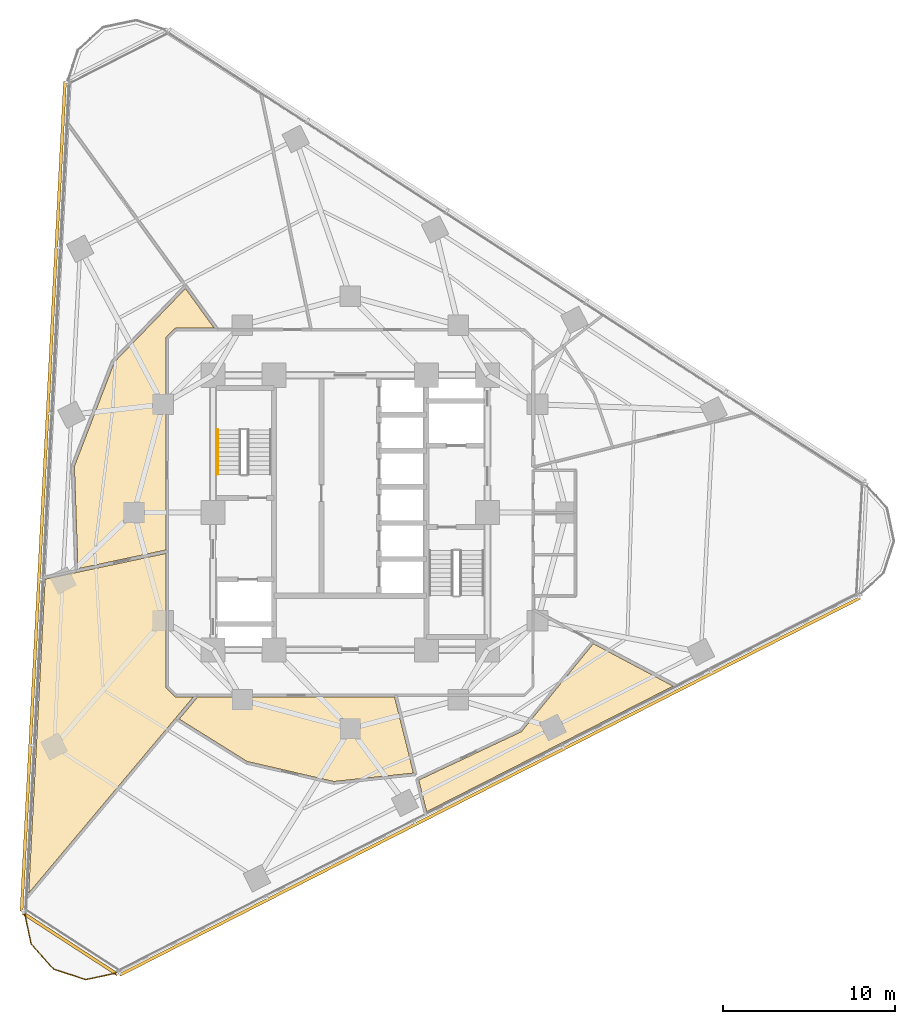
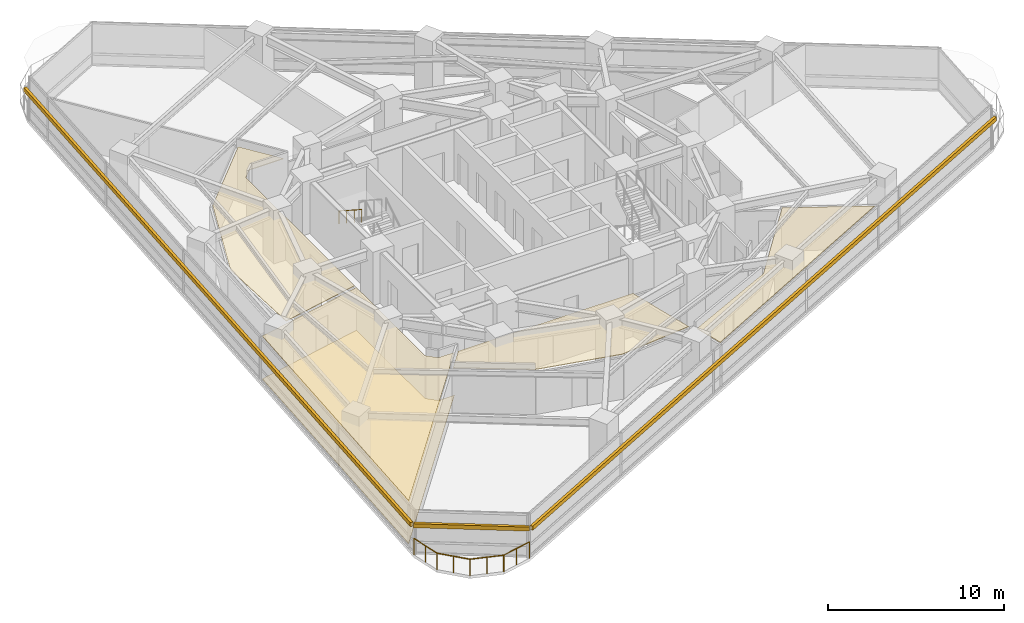
# One storey, part 12 of 14: 5 coverings, 3 shading devices, 2 railings.
"""IFC4 building model written with IfcOpenShell, lengths in metres."""

from ifc_helpers import new_model, si_unit, direction, frame, origin, origin_2d, place, context, subcontext, project, spatial, polyline, rectangle, circle, outline, extrude, material, layer, layer_set, type_object, element, save


model = new_model("IFC4")

# Units and contexts
model_context = context("Model", 3, precision=1e-05, world=origin(), true_north=direction((0.0, 1.0)))
body_context = subcontext(model_context, "Body", "Model", "MODEL_VIEW")
ifc_project = project(units=[si_unit("LENGTHUNIT", "METRE"), si_unit("AREAUNIT", "SQUARE_METRE"), si_unit("VOLUMEUNIT", "CUBIC_METRE"), si_unit("PLANEANGLEUNIT", "RADIAN"), si_unit("MASSUNIT", "GRAM", prefix="KILO")], contexts=[model_context])

# Site, building, storey
site_placement = place(None, origin())
site = spatial("IfcSite", under=ifc_project, at=site_placement, CompositionType="ELEMENT")
building_placement = place(site_placement, origin())
building = spatial("IfcBuilding", under=site, at=building_placement, Name="Terralouvre Media Tower", CompositionType="ELEMENT")
storey_placement = place(building_placement, frame((0.0, 0.0, 119.89990234375)))
storey = spatial("IfcBuildingStorey", under=building, at=storey_placement, Name="L30", CompositionType="ELEMENT", Elevation=119.89990234375)

# Coverings
ifc_material_1 = material(Name="Resilient elastomer acoustic broadcast studio flooring")
ifc_layer_1 = layer(ifc_material_1, 0.050048828125, Name="Broadcast Studio Acoustic Floating Floor FL-AC1")
ifc_layer_set_1 = layer_set([ifc_layer_1], Name="Resilient elastomer acoustic broadcast studio flooring")
covering_type_1 = type_object("IfcCoveringType", Name="Broadcast Studio Acoustic Floating Floor FL-AC1", PredefinedType="FLOORING", material=ifc_layer_set_1)
covering_1_placement = place(storey_placement, frame((0.0, 0.0, 0.0), z_axis=(0.0, 0.0, 1.0), x_axis=(0.891006524188, 0.45399049974, 0.0)))
element("IfcCovering", 1, at=covering_1_placement, inside=storey, type_object=covering_type_1, Name="L30 OB Coordination Crew Room 1 Acoustic Floating Floor", PredefinedType="FLOORING", context=body_context, shape_type="SweptSolid", body=[
    extrude(outline(polyline([(-13.033447265625, -5.424072265625), (-13.924072265625, -4.97021484375), (-13.9326171875, -4.96533203125), (-13.940673828125, -4.959716796875), (-13.947998046875, -4.953369140625), (-13.954833984375, -4.946044921875), (-13.960693359375, -4.9384765625), (-13.966064453125, -4.929931640625), (-13.97021484375, -4.92138671875), (-13.973876953125, -4.912109375), (-14.1923828125, -4.239501953125), (-14.19482421875, -4.230224609375), (-14.196533203125, -4.220458984375), (-14.197265625, -4.210693359375), (-14.197021484375, -4.200927734375), (-14.195556640625, -4.191162109375), (-14.193603515625, -4.181640625), (-14.1904296875, -4.17236328125), (-14.186279296875, -4.163330078125), (-10.662109375, 2.753173828125), (-15.78857421875, 4.126708984375), (-17.603271484375, 4.61376953125), (-26.763671875, -11.251708984375), (-14.5244140625, -6.056884765625), (-13.033447265625, -5.424072265625)])), origin(), (0.0, 0.0, 1.0), 0.050048828125),
])
ifc_material_2 = material(Name="Perforated aluminium acoustic ceiling baffle", Category="aluminium")
ifc_layer_2 = layer(ifc_material_2, 0.0400390625, Name="Perforated Acoustic Metal Tile Ceiling CL-AC1")
ifc_layer_set_2 = layer_set([ifc_layer_2], Name="Perforated aluminium acoustic ceiling baffle")
covering_type_2 = type_object("IfcCoveringType", Name="Perforated Acoustic Metal Tile Ceiling CL-AC1", PredefinedType="CEILING", material=ifc_layer_set_2)
covering_2_placement = place(storey_placement, frame((0.0, 0.0, 2.97998046875), z_axis=(0.0, 0.0, 1.0), x_axis=(0.891006524188, 0.45399049974, 0.0)))
element("IfcCovering", 2, at=covering_2_placement, inside=storey, type_object=covering_type_2, Name="L30 OB Coordination Crew Room 1 Acoustic Ceiling", PredefinedType="CEILING", context=body_context, shape_type="SweptSolid", body=[
    extrude(outline(polyline([(-13.033447265625, -5.424072265625), (-13.924072265625, -4.97021484375), (-13.9326171875, -4.96533203125), (-13.940673828125, -4.959716796875), (-13.947998046875, -4.953369140625), (-13.954833984375, -4.946044921875), (-13.960693359375, -4.9384765625), (-13.966064453125, -4.929931640625), (-13.97021484375, -4.92138671875), (-13.973876953125, -4.912109375), (-14.1923828125, -4.239501953125), (-14.19482421875, -4.230224609375), (-14.196533203125, -4.220458984375), (-14.197265625, -4.210693359375), (-14.197021484375, -4.200927734375), (-14.195556640625, -4.191162109375), (-14.193603515625, -4.181640625), (-14.1904296875, -4.17236328125), (-14.186279296875, -4.163330078125), (-10.662109375, 2.753173828125), (-15.78857421875, 4.126708984375), (-17.603271484375, 4.61376953125), (-26.763671875, -11.251708984375), (-14.5244140625, -6.056884765625), (-13.033447265625, -5.424072265625)])), origin(), (0.0, 0.0, 1.0), 0.0400390625),
])
covering_3_placement = place(storey_placement, frame((0.0, 0.0, 2.97998046875), z_axis=(0.0, 0.0, 1.0), x_axis=(0.891006524188, 0.45399049974, 0.0)))
element("IfcCovering", 3, at=covering_3_placement, inside=storey, type_object=covering_type_2, Name="L30 Sports Commentary Control Room 3 Acoustic Ceiling", PredefinedType="CEILING", context=body_context, shape_type="SweptSolid", body=[
    extrude(outline(polyline([(-11.936767578125, -10.1953125), (-7.96826171875, -13.526611328125), (-3.611572265625, -15.198486328125), (-2.58447265625, -10.748291015625), (-12.801025390625, -5.542724609375), (-14.34033203125, -6.196044921875), (-11.936767578125, -10.1953125)])), origin(), (0.0, 0.0, 1.0), 0.0400390625),
])
covering_4_placement = place(storey_placement, frame((0.0, 0.0, 2.97998046875), z_axis=(0.0, 0.0, 1.0), x_axis=(0.891006524188, 0.45399049974, 0.0)))
element("IfcCovering", 4, at=covering_4_placement, inside=storey, type_object=covering_type_2, Name="L30 Tournament Highlights Cinema 5 Acoustic Ceiling", PredefinedType="CEILING", context=body_context, shape_type="SweptSolid", body=[
    extrude(outline(polyline([(3.112060546875, -15.895751953125), (3.103759765625, -15.89892578125), (3.09521484375, -15.9013671875), (3.086669921875, -15.903076171875), (3.07763671875, -15.904052734375), (3.06884765625, -15.904052734375), (-3.52294921875, -15.70263671875), (-3.94921875, -17.552001953125), (12.16796875, -17.55224609375), (9.148681640625, -13.240234375), (3.112060546875, -15.895751953125)])), origin(), (0.0, 0.0, 1.0), 0.0400390625),
])
covering_5_placement = place(storey_placement, frame((0.0, 0.0, 2.97998046875), z_axis=(0.0, 0.0, 1.0), x_axis=(0.891006524188, 0.45399049974, 0.0)))
element("IfcCovering", 5, at=covering_5_placement, inside=storey, type_object=covering_type_2, Name="L30 Sports Desk Workspace 12 Acoustic Ceiling", PredefinedType="CEILING", context=body_context, shape_type="SweptSolid", body=[
    extrude(outline(polyline([(-8.27197265625, 14.043212890625), (-13.10107421875, 9.694580078125), (-15.62158203125, 4.2890625), (-10.5693359375, 2.935302734375), (-4.97021484375, 13.924072265625), (-4.96533203125, 13.9326171875), (-4.959716796875, 13.940673828125), (-4.953369140625, 13.947998046875), (-4.946044921875, 13.954833984375), (-4.9384765625, 13.960693359375), (-4.929931640625, 13.966064453125), (-4.92138671875, 13.97021484375), (-4.912109375, 13.973876953125), (-4.239501953125, 14.1923828125), (-4.230224609375, 14.19482421875), (-4.220458984375, 14.196533203125), (-4.210693359375, 14.197265625), (-4.200927734375, 14.197021484375), (-4.191162109375, 14.195556640625), (-4.181640625, 14.193603515625), (-4.17236328125, 14.1904296875), (-4.163330078125, 14.186279296875), (-2.189208984375, 13.180419921875), (-2.633056640625, 15.984375), (-8.27197265625, 14.043212890625)])), origin(), (0.0, 0.0, 1.0), 0.0400390625),
])

# Railings
ifc_material_3 = material(Name="Stainless steel 316 handrail and balustrade", Category="steel")
ifc_layer_3 = layer(ifc_material_3, 0.06005859375, Name="Roof Edge Safety Guardrail GR-ROOF1")
ifc_layer_set_3 = layer_set([ifc_layer_3], Name="Stainless steel 316 handrail and balustrade")
railing_type_1 = type_object("IfcRailingType", Name="Roof Edge Safety Guardrail GR-ROOF1", PredefinedType="GUARDRAIL", material=ifc_layer_set_3)
railing_1_placement = place(storey_placement, frame((-19.004638671875, -23.22509765625, 0.0)))
element("IfcRailing", 6, at=railing_1_placement, inside=storey, type_object=railing_type_1, Name="L30 Wind-Corner Perimeter Safety Guardrail C0", PredefinedType="GUARDRAIL", context=body_context, shape_type="SweptSolid", body=[
    extrude(circle(Radius=0.02099609375, at=origin_2d()), frame((0.0, 0.0, 1.12890625), z_axis=(0.20770581411, -0.978191338535, 0.0), x_axis=(0.978191338535, 0.20770581411, 0.0)), (0.0, 0.0, 1.0), 1.966552734375),
    extrude(circle(Radius=0.02099609375, at=origin_2d()), frame((0.408447265625, -1.923583984375, 1.12890625), z_axis=(0.669067634628, -0.743201520648, 0.0), x_axis=(0.743201520648, 0.669067634628, 0.0)), (0.0, 0.0, 1.0), 1.966064453125),
    extrude(circle(Radius=0.02099609375, at=origin_2d()), frame((1.723876953125, -3.384765625, 1.12890625), z_axis=(0.951088800654, -0.308917615669, 0.0), x_axis=(0.308917615669, 0.951088800654, 0.0)), (0.0, 0.0, 1.0), 1.96630859375),
    extrude(circle(Radius=0.02099609375, at=origin_2d()), frame((3.593994140625, -3.9921875, 1.12890625), z_axis=(0.978110230454, 0.208087426535, 0.0), x_axis=(-0.208087426535, 0.978110230454, 0.0)), (0.0, 0.0, 1.0), 1.96630859375),
    extrude(circle(Radius=0.01904296875, at=origin_2d()), origin(), (0.0, 0.0, 1.0), 1.10791015625),
    extrude(circle(Radius=0.01904296875, at=origin_2d()), frame((0.2041015625, -0.9619140625, 0.0)), (0.0, 0.0, 1.0), 1.10791015625),
    extrude(circle(Radius=0.01904296875, at=origin_2d()), frame((0.408447265625, -1.923583984375, 0.0)), (0.0, 0.0, 1.0), 1.10791015625),
    extrude(circle(Radius=0.01904296875, at=origin_2d()), frame((1.066162109375, -2.654296875, 0.0)), (0.0, 0.0, 1.0), 1.10791015625),
    extrude(circle(Radius=0.01904296875, at=origin_2d()), frame((1.723876953125, -3.384765625, 0.0)), (0.0, 0.0, 1.0), 1.10791015625),
    extrude(circle(Radius=0.01904296875, at=origin_2d()), frame((2.658935546875, -3.6884765625, 0.0)), (0.0, 0.0, 1.0), 1.10791015625),
    extrude(circle(Radius=0.01904296875, at=origin_2d()), frame((3.593994140625, -3.9921875, 0.0)), (0.0, 0.0, 1.0), 1.10791015625),
    extrude(circle(Radius=0.01904296875, at=origin_2d()), frame((4.5556640625, -3.78759765625, 0.0)), (0.0, 0.0, 1.0), 1.10791015625),
    extrude(circle(Radius=0.01904296875, at=origin_2d()), frame((5.517333984375, -3.5830078125, 0.0)), (0.0, 0.0, 1.0), 1.10791015625),
])
ifc_material_4 = material(Name="Stainless steel 316 handrail and balustrade", Category="steel")
ifc_layer_4 = layer(ifc_material_4, 0.050048828125, Name="Stair Flight Wall Handrail HR-INT1")
ifc_layer_set_4 = layer_set([ifc_layer_4], Name="Stainless steel 316 handrail and balustrade")
railing_type_2 = type_object("IfcRailingType", Name="Stair Flight Wall Handrail HR-INT1", PredefinedType="HANDRAIL", material=ifc_layer_set_4)
railing_2_placement = place(storey_placement, frame((-7.72998046875, 4.820068359375, 2.018310546875)))
element("IfcRailing", 7, at=railing_2_placement, inside=storey, type_object=railing_type_2, Name="L30 ST-01 stair handrail 2", PredefinedType="HANDRAIL", context=body_context, shape_type="SweptSolid", body=[
    extrude(circle(Radius=0.02392578125, at=origin_2d()), frame((0.0, 0.0, 0.8759765625), z_axis=(0.0, -0.839648411786, 0.543130320075), x_axis=(1.0, 0.0, 0.0)), (0.0, 0.0, 1.0), 3.0966796875),
    extrude(circle(Radius=0.02099609375, at=origin_2d()), origin(), (0.0, 0.0, 1.0), 0.851806640625),
    extrude(circle(Radius=0.02099609375, at=origin_2d()), frame((0.0, -0.86669921875, 0.560546875)), (0.0, 0.0, 1.0), 0.851806640625),
    extrude(circle(Radius=0.02099609375, at=origin_2d()), frame((0.0, -1.7333984375, 1.121337890625)), (0.0, 0.0, 1.0), 0.851806640625),
    extrude(circle(Radius=0.02099609375, at=origin_2d()), frame((0.0, -2.60009765625, 1.681884765625)), (0.0, 0.0, 1.0), 0.851806640625),
])

# Shading devices
ifc_material_5 = material(Name="Extruded terracotta baguette sunshade louvres", Category="masonry")
shading_device_type = type_object("IfcShadingDeviceType", Name="Terracotta Baguette Sunshade Louvre Screen TB-LV1", PredefinedType="USERDEFINED", material=ifc_material_5)
for number, where, z_axis, x_axis, name in (
    (8, (8.1318359375, -15.959716796875, 2.02392578125), (0.0, 0.0, 1.0), (0.891006501178, 0.4539905449, 0.0), "CW-L30-F0 Terracotta Baguette Sunshade Louvre"),
    (9, (-17.887451171875, 0.9375, 2.02392578125), (0.0, 0.0, 1.0), (-0.052335949864, -0.998629535089, 0.0), "CW-L30-F2 Terracotta Baguette Sunshade Louvre"),
):
    element("IfcShadingDevice", number, at=place(storey_placement, frame(where, z_axis=z_axis, x_axis=x_axis)), inside=storey, type_object=shading_device_type, Name=name, ObjectType="BAGUETTE", PredefinedType="USERDEFINED", context=body_context, shape_type="SweptSolid", body=[
        extrude(rectangle(XDim=48.39990234375, YDim=0.179931640625, at=origin_2d()), origin(), (0.0, 0.0, 1.0), 0.280029296875),
    ])
shading_device_placement = place(storey_placement, frame((-16.3193359375, -25.129638671875, 2.02392578125), z_axis=(0.0, 0.0, 1.0), x_axis=(0.838670390568, -0.544639308152, 0.0)))
element("IfcShadingDevice", 10, at=shading_device_placement, inside=storey, type_object=shading_device_type, Name="CW-L30-C0 Terracotta Baguette Sunshade Louvre", ObjectType="BAGUETTE", PredefinedType="USERDEFINED", context=body_context, shape_type="SweptSolid", body=[
    extrude(rectangle(XDim=6.581787109375, YDim=0.179931640625, at=origin_2d()), origin(), (0.0, 0.0, 1.0), 0.280029296875),
])

save(model, "model.ifc")
